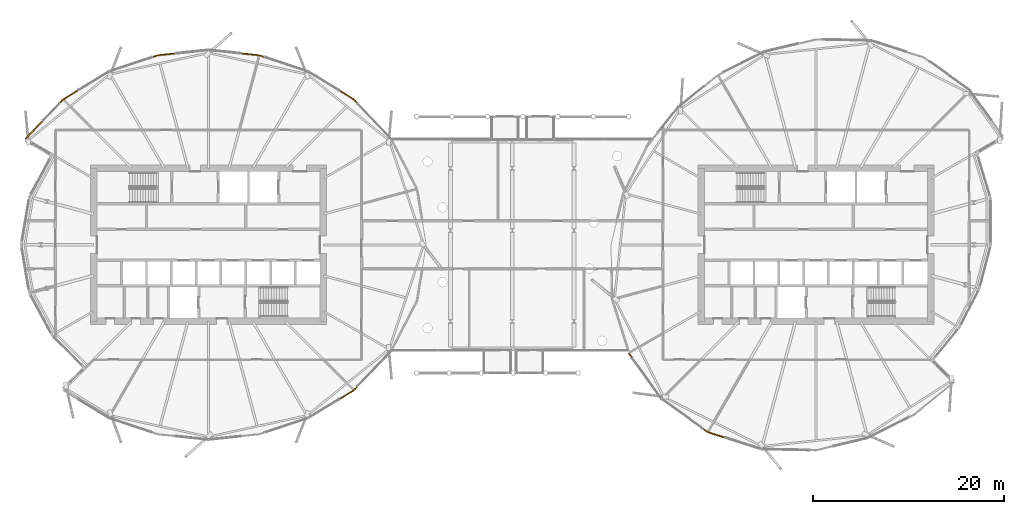
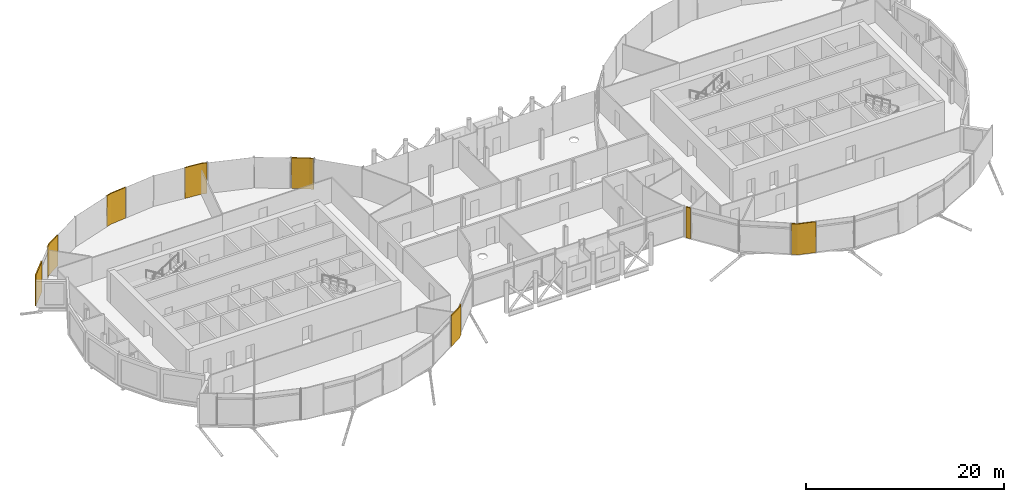
# One storey, part 37 of 39: 8 coverings.
"""IFC4 building model written with IfcOpenShell, lengths in metres."""

from ifc_helpers import new_model, si_unit, direction, frame, origin, place, context, subcontext, project, spatial, polyline, outline, extrude, material, layer, layer_set, type_object, element, save


model = new_model("IFC4")

# Units and contexts
model_context = context("Model", 3, precision=1e-05, world=origin(), true_north=direction((0.0, 1.0)))
body_context = subcontext(model_context, "Body", "Model", "MODEL_VIEW")
ifc_project = project(units=[si_unit("LENGTHUNIT", "METRE"), si_unit("AREAUNIT", "SQUARE_METRE"), si_unit("VOLUMEUNIT", "CUBIC_METRE"), si_unit("PLANEANGLEUNIT", "RADIAN"), si_unit("MASSUNIT", "GRAM", prefix="KILO")], contexts=[model_context])

# Site, building, storey
site_placement = place(None, origin())
site = spatial("IfcSite", under=ifc_project, at=site_placement, CompositionType="ELEMENT")
building_placement = place(site_placement, origin())
building = spatial("IfcBuilding", under=site, at=building_placement, Name="Rimbun Link Towers", CompositionType="ELEMENT")
storey_placement = place(building_placement, frame((0.0, 0.0, 139.199951171875)))
storey = spatial("IfcBuildingStorey", under=building, at=storey_placement, Name="L33", CompositionType="ELEMENT", Elevation=139.199951171875)

# Coverings
ifc_material = material(Name="Terracotta", Category="masonry")
ifc_layer = layer(ifc_material, 0.1201171875)
ifc_layer_set = layer_set([ifc_layer], Name="LINK PIER terracotta cladding 120")
covering_type = type_object("IfcCoveringType", Name="LINK PIER terracotta cladding 120", PredefinedType="CLADDING", material=ifc_layer_set)
covering_1_placement = place(storey_placement, origin())
element("IfcCovering", 1, at=covering_1_placement, inside=storey, type_object=covering_type, Name="LINK PIER cladding", PredefinedType="CLADDING", context=body_context, shape_type="SweptSolid", body=[
    extrude(outline(polyline([(-18.104248046875, 16.080322265625), (-16.595703125, 15.154296875), (-16.23583984375, 14.77880859375), (-16.1494140625, 14.86181640625), (-16.519775390625, 15.248291015625), (-18.04150390625, 16.1826171875), (-18.104248046875, 16.080322265625)])), origin(), (0.0, 0.0, 1.0), 3.800048828125),
])
covering_2_placement = place(storey_placement, origin())
element("IfcCovering", 2, at=covering_2_placement, inside=storey, type_object=covering_type, Name="LINK PIER cladding", PredefinedType="CLADDING", context=body_context, shape_type="SweptSolid", body=[
    extrude(outline(polyline([(-28.265869140625, 19.94873046875), (-26.455810546875, 19.758056640625), (-25.914794921875, 19.57861328125), (-25.877197265625, 19.692626953125), (-26.430419921875, 19.8759765625), (-28.25341796875, 20.06787109375), (-28.265869140625, 19.94873046875)])), origin(), (0.0, 0.0, 1.0), 3.800048828125),
])
covering_3_placement = place(storey_placement, origin())
element("IfcCovering", 3, at=covering_3_placement, inside=storey, type_object=covering_type, Name="LINK PIER cladding", PredefinedType="CLADDING", context=body_context, shape_type="SweptSolid", body=[
    extrude(outline(polyline([(-37.585205078125, 19.57861328125), (-37.044189453125, 19.758056640625), (-35.234130859375, 19.94873046875), (-35.24658203125, 20.06787109375), (-37.069580078125, 19.8759765625), (-37.622802734375, 19.692626953125), (-37.585205078125, 19.57861328125)])), origin(), (0.0, 0.0, 1.0), 3.800048828125),
])
covering_4_placement = place(storey_placement, origin())
element("IfcCovering", 4, at=covering_4_placement, inside=storey, type_object=covering_type, Name="LINK PIER cladding", PredefinedType="CLADDING", context=body_context, shape_type="SweptSolid", body=[
    extrude(outline(polyline([(-50.8359375, 11.052978515625), (-49.043701171875, 12.922607421875), (-49.13037109375, 13.005615234375), (-50.922607421875, 11.135986328125), (-50.8359375, 11.052978515625)])), origin(), (0.0, 0.0, 1.0), 3.800048828125),
])
covering_5_placement = place(storey_placement, origin())
element("IfcCovering", 5, at=covering_5_placement, inside=storey, type_object=covering_type, Name="LINK PIER cladding", PredefinedType="CLADDING", context=body_context, shape_type="SweptSolid", body=[
    extrude(outline(polyline([(-47.26416015625, 14.77880859375), (-46.904296875, 15.154296875), (-45.353271484375, 16.1064453125), (-45.416015625, 16.208740234375), (-46.980224609375, 15.248291015625), (-47.3505859375, 14.86181640625), (-47.26416015625, 14.77880859375)])), origin(), (0.0, 0.0, 1.0), 3.800048828125),
])
covering_6_placement = place(storey_placement, origin())
element("IfcCovering", 6, at=covering_6_placement, inside=storey, type_object=covering_type, Name="LINK PIER cladding", PredefinedType="CLADDING", context=body_context, shape_type="SweptSolid", body=[
    extrude(outline(polyline([(-16.23583984375, -14.77880859375), (-16.595703125, -15.154296875), (-18.104248046875, -16.080322265625), (-18.04150390625, -16.1826171875), (-16.519775390625, -15.248291015625), (-16.1494140625, -14.86181640625), (-16.23583984375, -14.77880859375)])), origin(), (0.0, 0.0, 1.0), 3.800048828125),
])
covering_7_placement = place(storey_placement, origin())
element("IfcCovering", 7, at=covering_7_placement, inside=storey, type_object=covering_type, Name="LINK PIER cladding", PredefinedType="CLADDING", context=body_context, shape_type="SweptSolid", body=[
    extrude(outline(polyline([(12.54296875, -11.744140625), (12.228271484375, -11.305419921875), (12.130615234375, -11.375244140625), (12.445556640625, -11.81396484375), (12.54296875, -11.744140625)])), origin(), (0.0, 0.0, 1.0), 3.800048828125),
])
covering_8_placement = place(storey_placement, origin())
element("IfcCovering", 8, at=covering_8_placement, inside=storey, type_object=covering_type, Name="LINK PIER cladding", PredefinedType="CLADDING", context=body_context, shape_type="SweptSolid", body=[
    extrude(outline(polyline([(22.2509765625, -20.10595703125), (20.468994140625, -19.539306640625), (19.96533203125, -19.177734375), (19.895263671875, -19.275390625), (20.41455078125, -19.64794921875), (22.214599609375, -20.220458984375), (22.2509765625, -20.10595703125)])), origin(), (0.0, 0.0, 1.0), 3.800048828125),
])

save(model, "model.ifc")
